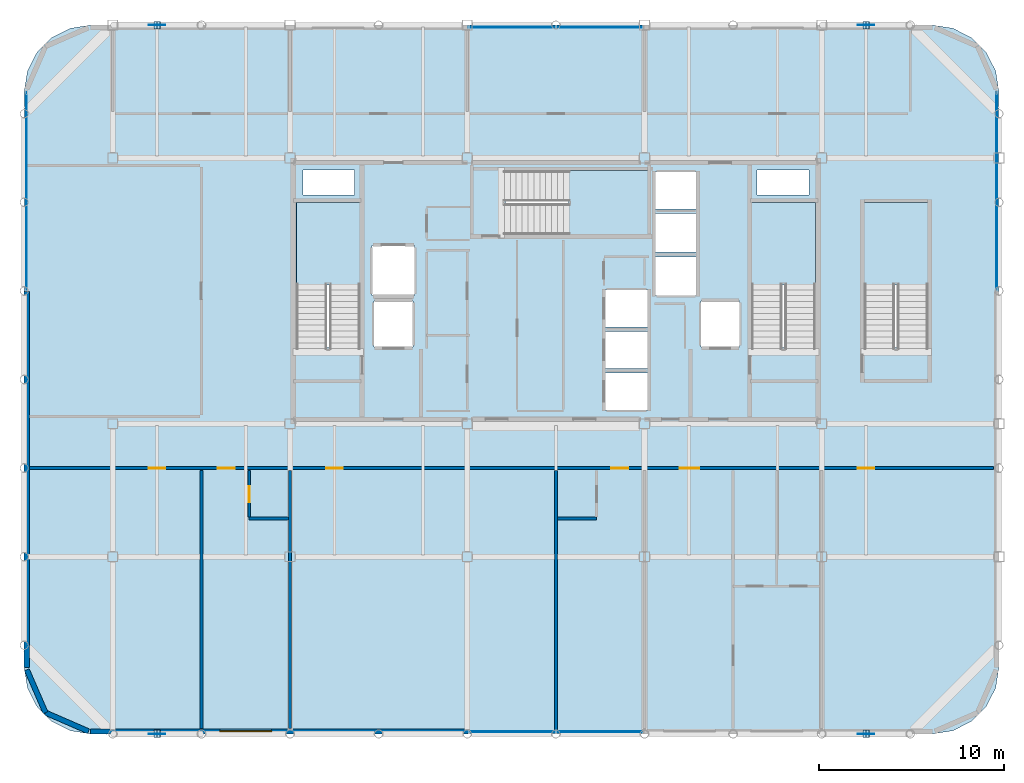
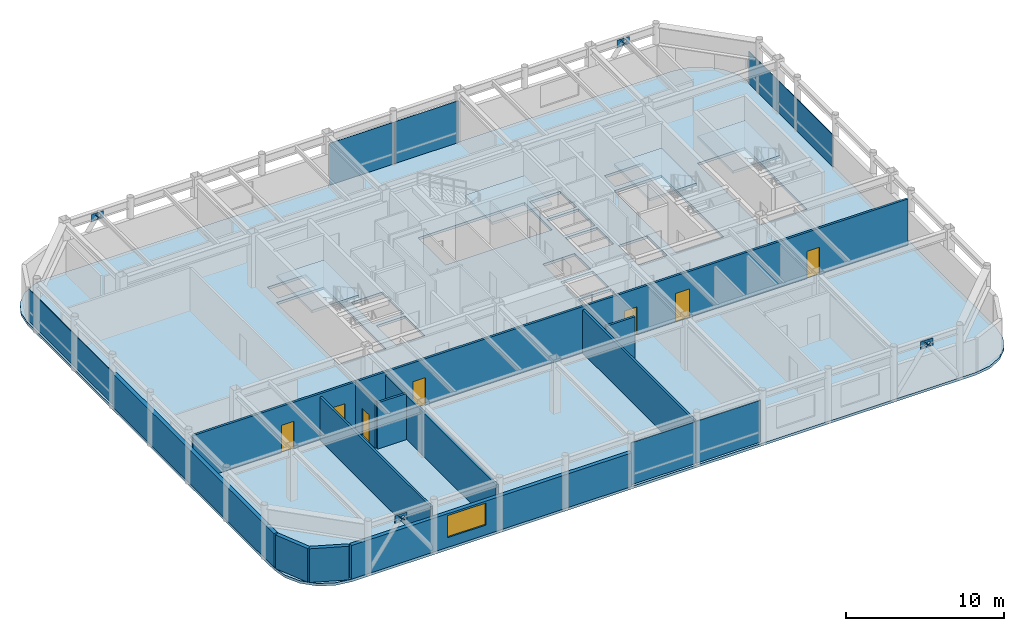
# One storey, part 16 of 21: 18 plates, 11 walls, 7 doors, 5 slabs, 1 window, 8 openings, 8 elements without a shape of their own.
"""IFC4 building model written with IfcOpenShell, lengths in metres."""

from ifc_helpers import new_model, si_unit, direction, frame, frame_2d, origin, origin_2d, place, context, subcontext, project, spatial, polyline, rectangle, outline, extrude, material, layer, layer_set, type_object, element, fill, aggregate, save


model = new_model("IFC4")

# Units and contexts
model_context = context("Model", 3, precision=1e-05, world=origin(), true_north=direction((0.0, 1.0)))
body_context = subcontext(model_context, "Body", "Model", "MODEL_VIEW")
ifc_project = project(units=[si_unit("LENGTHUNIT", "METRE"), si_unit("AREAUNIT", "SQUARE_METRE"), si_unit("VOLUMEUNIT", "CUBIC_METRE"), si_unit("PLANEANGLEUNIT", "RADIAN"), si_unit("MASSUNIT", "GRAM", prefix="KILO")], contexts=[model_context])

# Site, building, storey
site_placement = place(None, origin())
site = spatial("IfcSite", under=ifc_project, at=site_placement, CompositionType="ELEMENT")
building_placement = place(site_placement, origin())
building = spatial("IfcBuilding", under=site, at=building_placement, Name="Kallvorn Hotel Tower", CompositionType="ELEMENT")
storey_placement = place(building_placement, frame((0.0, 0.0, 286.39990234375)))
storey = spatial("IfcBuildingStorey", under=building, at=storey_placement, Name="L71", CompositionType="ELEMENT", Elevation=286.39990234375)

# Curtain wall, plates
ifc_material_1 = material(Name="Thermally broken black-anodised aluminium AA 6063-T6", Category="aluminium")
ifc_layer_1 = layer(ifc_material_1, 0.25)
ifc_layer_set_1 = layer_set([ifc_layer_1], Name="CW_SYS_6_SUMMIT_OBS")
curtain_wall_type = type_object("IfcCurtainWallType", Name="CW_SYS_6_SUMMIT_OBS", PredefinedType="USERDEFINED", material=ifc_layer_set_1)
curtain_wall_1_placement = place(storey_placement, origin())
curtain_wall_1 = element("IfcCurtainWall", 1, at=curtain_wall_1_placement, inside=storey, type_object=curtain_wall_type, Name="L71 Dark-Glass Curtain Wall CW-L71-SC", ObjectType="UNITISED CURTAIN WALL", PredefinedType="USERDEFINED")
ifc_material_2 = material(Name="Triple-glazed low-e acoustic solar-control dark glass", Category="glass")
ifc_layer_2 = layer(ifc_material_2, 0.044921875)
ifc_layer_set_2 = layer_set([ifc_layer_2], Name="CW_SYS_6_SUMMIT_OBS_PANEL")
plate_type_1 = type_object("IfcPlateType", Name="CW_SYS_6_SUMMIT_OBS_PANEL", PredefinedType="CURTAIN_PANEL", material=ifc_layer_set_2)
plate_1_placement = place(storey_placement, frame((-2.375, -23.8798828125, 0.06005859375), z_axis=(0.0, 0.0, 1.0), x_axis=(1.0, 0.0, 0.0)))
plate_1 = element("IfcPlate", 2, at=plate_1_placement, type_object=plate_type_1, Name="CW-L71-SC Vision Glass Panel 00", PredefinedType="CURTAIN_PANEL", context=body_context, shape_type="SweptSolid", body=[
    extrude(rectangle(XDim=4.68994140625, YDim=0.044921875, at=origin_2d()), origin(), (0.0, 0.0, 1.0), 3.22998046875),
])
plate_2_placement = place(storey_placement, frame((2.375, -23.8798828125, 0.06005859375), z_axis=(0.0, 0.0, 1.0), x_axis=(1.0, 0.0, 0.0)))
plate_2 = element("IfcPlate", 3, at=plate_2_placement, type_object=plate_type_1, Name="CW-L71-SC Vision Glass Panel 01", PredefinedType="CURTAIN_PANEL", context=body_context, shape_type="SweptSolid", body=[
    extrude(rectangle(XDim=4.68994140625, YDim=0.044921875, at=origin_2d()), origin(), (0.0, 0.0, 1.0), 3.22998046875),
])
aggregate(curtain_wall_1, [plate_1, plate_2])

curtain_wall_2_placement = place(storey_placement, origin())
curtain_wall_2 = element("IfcCurtainWall", 4, at=curtain_wall_2_placement, inside=storey, type_object=curtain_wall_type, Name="L71 Dark-Glass Curtain Wall CW-L71-NC", ObjectType="UNITISED CURTAIN WALL", PredefinedType="USERDEFINED")
plate_3_placement = place(storey_placement, frame((-2.375, 14.280029296875, 0.06005859375), z_axis=(0.0, 0.0, 1.0), x_axis=(1.0, 0.0, 0.0)))
plate_3 = element("IfcPlate", 5, at=plate_3_placement, type_object=plate_type_1, Name="CW-L71-NC Vision Glass Panel 00", PredefinedType="CURTAIN_PANEL", context=body_context, shape_type="SweptSolid", body=[
    extrude(rectangle(XDim=4.68994140625, YDim=0.044921875, at=origin_2d()), origin(), (0.0, 0.0, 1.0), 3.22998046875),
])
plate_4_placement = place(storey_placement, frame((2.375, 14.280029296875, 0.06005859375), z_axis=(0.0, 0.0, 1.0), x_axis=(1.0, 0.0, 0.0)))
plate_4 = element("IfcPlate", 6, at=plate_4_placement, type_object=plate_type_1, Name="CW-L71-NC Vision Glass Panel 01", PredefinedType="CURTAIN_PANEL", context=body_context, shape_type="SweptSolid", body=[
    extrude(rectangle(XDim=4.68994140625, YDim=0.044921875, at=origin_2d()), origin(), (0.0, 0.0, 1.0), 3.22998046875),
])
aggregate(curtain_wall_2, [plate_3, plate_4])

# Curtain wall, plate
curtain_wall_3_placement = place(storey_placement, origin())
curtain_wall_3 = element("IfcCurtainWall", 7, at=curtain_wall_3_placement, inside=storey, type_object=curtain_wall_type, Name="L71 Dark-Glass Curtain Wall CW-L71-WN", ObjectType="UNITISED CURTAIN WALL", PredefinedType="USERDEFINED")
plate_5_placement = place(storey_placement, frame((-28.679931640625, 5.409912109375, 0.06005859375), z_axis=(0.0, 0.0, 1.0), x_axis=(0.0, 1.0, 0.0)))
plate_5 = element("IfcPlate", 8, at=plate_5_placement, type_object=plate_type_1, Name="CW-L71-WN Vision Glass Panel 00", PredefinedType="CURTAIN_PANEL", context=body_context, shape_type="SweptSolid", body=[
    extrude(rectangle(XDim=10.719970703125, YDim=0.044921875, at=origin_2d()), origin(), (0.0, 0.0, 1.0), 2.47998046875),
])
aggregate(curtain_wall_3, [plate_5])

curtain_wall_4_placement = place(storey_placement, origin())
curtain_wall_4 = element("IfcCurtainWall", 9, at=curtain_wall_4_placement, inside=storey, type_object=curtain_wall_type, Name="L71 Dark-Glass Curtain Wall CW-L71-EN", ObjectType="UNITISED CURTAIN WALL", PredefinedType="USERDEFINED")
plate_6_placement = place(storey_placement, frame((23.8798828125, 5.409912109375, 0.06005859375), z_axis=(0.0, 0.0, 1.0), x_axis=(0.0, 1.0, 0.0)))
plate_6 = element("IfcPlate", 10, at=plate_6_placement, type_object=plate_type_1, Name="CW-L71-EN Vision Glass Panel 00", PredefinedType="CURTAIN_PANEL", context=body_context, shape_type="SweptSolid", body=[
    extrude(rectangle(XDim=10.719970703125, YDim=0.044921875, at=origin_2d()), origin(), (0.0, 0.0, 1.0), 2.47998046875),
])
aggregate(curtain_wall_4, [plate_6])

# Plates
ifc_material_3 = material(Name="Structural steel S355JR", Category="steel")
ifc_layer_3 = layer(ifc_material_3, 0.030029296875)
ifc_layer_set_3 = layer_set([ifc_layer_3], Name="PLT_CAP_30")
plate_type_2 = type_object("IfcPlateType", Name="PLT_CAP_30", PredefinedType="SHEET", material=ifc_layer_set_3)
for number, where, z_axis, x_axis, name in (
    (11, (-21.4296875, -24.201904296875, 3.430908203125), (0.580780755652, 0.0, 0.814060018588), (0.0, 1.0, 0.0), "EXO-L71-S1A End Cap Plate B"),
    (12, (-21.770263671875, -23.798095703125, 3.430908203125), (-0.580780755652, 0.0, 0.814060018588), (0.0, -1.0, 0.0), "EXO-L71-S1B End Cap Plate B"),
):
    element("IfcPlate", number, at=place(storey_placement, frame(where, z_axis=z_axis, x_axis=x_axis)), inside=storey, type_object=plate_type_2, Name=name, PredefinedType="SHEET", context=body_context, shape_type="SweptSolid", body=[
        extrude(outline(polyline([(0.0, 0.0), (0.40380859375, 0.0), (0.40380859375, 0.4039719607471356), (0.0, 0.4039719607471356), (0.0, 0.0)])), origin(), (0.0, 0.0, -1.0), 0.030029296875),
    ])
for number, where, z_axis, x_axis, name in (
    (13, (16.97021484375, -24.201904296875, 3.430908203125), (0.58106659154, 0.0, 0.813856016871), (0.0, 1.0, 0.0), "EXO-L71-S2A End Cap Plate B"),
    (14, (16.6298828125, -23.798095703125, 3.430908203125), (-0.58106659154, 0.0, 0.813856016871), (0.0, -1.0, 0.0), "EXO-L71-S2B End Cap Plate B"),
):
    element("IfcPlate", number, at=place(storey_placement, frame(where, z_axis=z_axis, x_axis=x_axis)), inside=storey, type_object=plate_type_2, Name=name, PredefinedType="SHEET", context=body_context, shape_type="SweptSolid", body=[
        extrude(outline(polyline([(0.0, 0.0), (0.40380859375, 0.0), (0.40380859375, 0.40377324052183683), (0.0, 0.40377324052183683), (0.0, 0.0)])), origin(), (0.0, 0.0, -1.0), 0.030029296875),
    ])
for number, where, z_axis, x_axis, name in (
    (15, (-21.4296875, 14.197998046875, 3.430908203125), (0.580780755652, 0.0, 0.814060018588), (0.0, 1.0, 0.0), "EXO-L71-N1A End Cap Plate B"),
    (16, (-21.770263671875, 14.60205078125, 3.430908203125), (-0.580780755652, 0.0, 0.814060018588), (0.0, -1.0, 0.0), "EXO-L71-N1B End Cap Plate B"),
):
    element("IfcPlate", number, at=place(storey_placement, frame(where, z_axis=z_axis, x_axis=x_axis)), inside=storey, type_object=plate_type_2, Name=name, PredefinedType="SHEET", context=body_context, shape_type="SweptSolid", body=[
        extrude(outline(polyline([(0.0, 0.0), (0.404052734375, 0.0), (0.404052734375, 0.4039719607471356), (0.0, 0.4039719607471356), (0.0, 0.0)])), origin(), (0.0, 0.0, -1.0), 0.030029296875),
    ])
for number, where, z_axis, x_axis, name in (
    (17, (16.97021484375, 14.197998046875, 3.430908203125), (0.58106659154, 0.0, 0.813856016871), (0.0, 1.0, 0.0), "EXO-L71-N2A End Cap Plate B"),
    (18, (16.6298828125, 14.60205078125, 3.430908203125), (-0.58106659154, 0.0, 0.813856016871), (0.0, -1.0, 0.0), "EXO-L71-N2B End Cap Plate B"),
):
    element("IfcPlate", number, at=place(storey_placement, frame(where, z_axis=z_axis, x_axis=x_axis)), inside=storey, type_object=plate_type_2, Name=name, PredefinedType="SHEET", context=body_context, shape_type="SweptSolid", body=[
        extrude(outline(polyline([(0.0, 0.0), (0.404052734375, 0.0), (0.404052734375, 0.4037732405218369), (0.0, 0.4037732405218369), (0.0, 0.0)])), origin(), (0.0, 0.0, -1.0), 0.030029296875),
    ])
ifc_material_4 = material(Name="Structural steel S355JR", Category="steel")
ifc_layer_4 = layer(ifc_material_4, 0.034912109375)
ifc_layer_set_4 = layer_set([ifc_layer_4], Name="PLT_GUSSET_35")
plate_type_3 = type_object("IfcPlateType", Name="PLT_GUSSET_35", PredefinedType="USERDEFINED", material=ifc_layer_set_4)
for number, where, z_axis, x_axis, name in (
    (19, (-21.60009765625, -24.0, 3.219970703125), (0.0, 0.0, 1.0), (1.0, 0.0, 0.0), "L71 Exoskeleton Node Gusset S1"),
    (20, (16.800048828125, -24.0, 3.219970703125), (0.0, 0.0, 1.0), (1.0, 0.0, 0.0), "L71 Exoskeleton Node Gusset S2"),
    (21, (-21.60009765625, 14.39990234375, 3.219970703125), (0.0, 0.0, 1.0), (1.0, 0.0, 0.0), "L71 Exoskeleton Node Gusset N1"),
    (22, (16.800048828125, 14.39990234375, 3.219970703125), (0.0, 0.0, 1.0), (1.0, 0.0, 0.0), "L71 Exoskeleton Node Gusset N2"),
):
    element("IfcPlate", number, at=place(storey_placement, frame(where, z_axis=z_axis, x_axis=x_axis)), inside=storey, type_object=plate_type_3, Name=name, ObjectType="GUSSET PLATE", PredefinedType="USERDEFINED", context=body_context, shape_type="SweptSolid", body=[
        extrude(rectangle(XDim=0.89990234375, YDim=0.034912109375, at=origin_2d()), origin(), (0.0, 0.0, 1.0), 0.56005859375),
    ])

# Stair, slab
ifc_material_5 = material(Name="Precast concrete C40/50", Category="concrete")
stair_type = type_object("IfcStairType", Name="STR_CORE_DOGLEG", PredefinedType="HALF_TURN_STAIR", material=ifc_material_5)
stair_1_placement = place(storey_placement, origin())
stair_1 = element("IfcStair", 23, at=stair_1_placement, inside=storey, type_object=stair_type, Name="L71 Exit stair ST1", PredefinedType="HALF_TURN_STAIR")
ifc_material_6 = material(Name="Precast concrete C40/50", Category="concrete")
ifc_layer_5 = layer(ifc_material_6, 0.179931640625)
ifc_layer_set_5 = layer_set([ifc_layer_5], Name="SLB_LANDING_180")
slab_type_1 = type_object("IfcSlabType", Name="SLB_LANDING_180", PredefinedType="LANDING", material=ifc_layer_set_5)
slab_1_placement = place(storey_placement, frame((0.0, 0.0, 1.900146484375)))
slab_1 = element("IfcSlab", 24, at=slab_1_placement, type_object=slab_type_1, Name="ST1 landing 1", PredefinedType="LANDING", context=body_context, shape_type="SweptSolid", body=[
    extrude(outline(polyline([(-10.60009765625, 0.330078125), (-10.60009765625, 4.800048828125), (-14.06005859375, 4.800048828125), (-14.06005859375, 0.330078125), (-10.60009765625, 0.330078125)])), origin(), (0.0, 0.0, 1.0), 0.199951171875),
])
aggregate(stair_1, [slab_1])

stair_2_placement = place(storey_placement, origin())
stair_2 = element("IfcStair", 25, at=stair_2_placement, inside=storey, type_object=stair_type, Name="L71 Exit stair ST2", PredefinedType="HALF_TURN_STAIR")
slab_2_placement = place(storey_placement, frame((0.0, 0.0, 1.900146484375)))
slab_2 = element("IfcSlab", 26, at=slab_2_placement, type_object=slab_type_1, Name="ST2 landing 1", PredefinedType="LANDING", context=body_context, shape_type="SweptSolid", body=[
    extrude(outline(polyline([(14.06005859375, 0.330078125), (14.06005859375, 4.800048828125), (10.60009765625, 4.800048828125), (10.60009765625, 0.330078125), (14.06005859375, 0.330078125)])), origin(), (0.0, 0.0, 1.0), 0.199951171875),
])
aggregate(stair_2, [slab_2])

stair_3_placement = place(storey_placement, origin())
stair_3 = element("IfcStair", 27, at=stair_3_placement, inside=storey, type_object=stair_type, Name="L71 Exit stair ST3", PredefinedType="HALF_TURN_STAIR")
slab_3_placement = place(storey_placement, frame((0.0, 0.0, 1.900146484375)))
slab_3 = element("IfcSlab", 28, at=slab_3_placement, type_object=slab_type_1, Name="ST3 landing 1", PredefinedType="LANDING", context=body_context, shape_type="SweptSolid", body=[
    extrude(outline(polyline([(0.679931640625, 3.050048828125), (5.050048828125, 3.050048828125), (5.050048828125, 6.510009765625), (0.679931640625, 6.510009765625), (0.679931640625, 3.050048828125)])), origin(), (0.0, 0.0, 1.0), 0.199951171875),
])
aggregate(stair_3, [slab_3])

stair_4_placement = place(storey_placement, origin())
stair_4 = element("IfcStair", 29, at=stair_4_placement, inside=storey, type_object=stair_type, Name="L71 Exit stair ST4", PredefinedType="HALF_TURN_STAIR")
slab_4_placement = place(storey_placement, frame((0.0, 0.0, 1.900146484375)))
slab_4 = element("IfcSlab", 30, at=slab_4_placement, type_object=slab_type_1, Name="ST4 landing 1", PredefinedType="LANDING", context=body_context, shape_type="SweptSolid", body=[
    extrude(outline(polyline([(20.159912109375, 0.330078125), (20.159912109375, 4.800048828125), (16.699951171875, 4.800048828125), (16.699951171875, 0.330078125), (20.159912109375, 0.330078125)])), origin(), (0.0, 0.0, 1.0), 0.199951171875),
])
aggregate(stair_4, [slab_4])

# Slab
ifc_material_7 = material(Name="Concrete C40/50", Category="concrete")
ifc_layer_6 = layer(ifc_material_7, 0.199951171875)
ifc_layer_set_6 = layer_set([ifc_layer_6], Name="SLB_SUMMIT_200")
slab_type_2 = type_object("IfcSlabType", Name="SLB_SUMMIT_200", PredefinedType="FLOOR", material=ifc_layer_set_6)
slab_5_placement = place(storey_placement, frame((0.0, 0.0, -0.199951171875)))
element("IfcSlab", 31, at=slab_5_placement, inside=storey, type_object=slab_type_2, Name="L71 Structural Floor Slab", PredefinedType="FLOOR", context=body_context, shape_type="SweptSolid", body=[
    extrude(outline(polyline([(20.39990234375, -24.0), (21.512451171875, -23.82373046875), (22.51611328125, -23.3125), (23.3125, -22.51611328125), (23.82373046875, -21.512451171875), (24.0, -20.39990234375), (24.0, 10.800048828125), (23.82373046875, 11.91259765625), (23.3125, 12.916015625), (22.51611328125, 13.71240234375), (21.512451171875, 14.223876953125), (20.39990234375, 14.39990234375), (-25.199951171875, 14.39990234375), (-26.3125, 14.223876953125), (-27.31591796875, 13.71240234375), (-28.112548828125, 12.916015625), (-28.623779296875, 11.91259765625), (-28.800048828125, 10.800048828125), (-28.800048828125, -20.39990234375), (-28.623779296875, -21.512451171875), (-28.112548828125, -22.51611328125), (-27.31591796875, -23.3125), (-26.3125, -23.82373046875), (-25.199951171875, -24.0), (20.39990234375, -24.0)]), holes=[polyline([(-10.60009765625, -3.070068359375), (-10.60009765625, 4.800048828125), (-14.06005859375, 4.800048828125), (-14.06005859375, -3.070068359375), (-10.60009765625, -3.070068359375)]), polyline([(14.06005859375, -3.070068359375), (14.06005859375, 4.800048828125), (10.60009765625, 4.800048828125), (10.60009765625, -3.070068359375), (14.06005859375, -3.070068359375)]), polyline([(-2.719970703125, 3.050048828125), (5.050048828125, 3.050048828125), (5.050048828125, 6.510009765625), (-2.719970703125, 6.510009765625), (-2.719970703125, 3.050048828125)]), polyline([(20.159912109375, -3.070068359375), (20.159912109375, 4.800048828125), (16.699951171875, 4.800048828125), (16.699951171875, -3.070068359375), (20.159912109375, -3.070068359375)]), polyline([(2.64990234375, -6.449951171875), (5.0, -6.449951171875), (5.0, -4.449951171875), (2.64990234375, -4.449951171875), (2.64990234375, -6.449951171875)]), polyline([(2.64990234375, -4.199951171875), (5.0, -4.199951171875), (5.0, -2.199951171875), (2.64990234375, -2.199951171875), (2.64990234375, -4.199951171875)]), polyline([(2.64990234375, -1.949951171875), (5.0, -1.949951171875), (5.0, 0.050048828125), (2.64990234375, 0.050048828125), (2.64990234375, -1.949951171875)]), polyline([(5.35009765625, -0.25), (7.64990234375, -0.25), (7.64990234375, 1.85009765625), (5.35009765625, 1.85009765625), (5.35009765625, -0.25)]), polyline([(5.35009765625, 2.10009765625), (7.64990234375, 2.10009765625), (7.64990234375, 4.199951171875), (5.35009765625, 4.199951171875), (5.35009765625, 2.10009765625)]), polyline([(5.35009765625, 4.449951171875), (7.64990234375, 4.449951171875), (7.64990234375, 6.449951171875), (5.35009765625, 6.449951171875), (5.35009765625, 4.449951171875)]), polyline([(-9.85009765625, -3.050048828125), (-7.75, -3.050048828125), (-7.75, -0.550048828125), (-9.85009765625, -0.550048828125), (-9.85009765625, -3.050048828125)]), polyline([(7.85009765625, -3.050048828125), (9.949951171875, -3.050048828125), (9.949951171875, -0.550048828125), (7.85009765625, -0.550048828125), (7.85009765625, -3.050048828125)]), polyline([(-9.949951171875, -0.25), (-7.64990234375, -0.25), (-7.64990234375, 2.449951171875), (-9.949951171875, 2.449951171875), (-9.949951171875, -0.25)]), polyline([(-13.699951171875, 5.199951171875), (-10.89990234375, 5.199951171875), (-10.89990234375, 6.550048828125), (-13.699951171875, 6.550048828125), (-13.699951171875, 5.199951171875)]), polyline([(10.89990234375, 5.199951171875), (13.699951171875, 5.199951171875), (13.699951171875, 6.550048828125), (10.89990234375, 6.550048828125), (10.89990234375, 5.199951171875)])]), origin(), (0.0, 0.0, 1.0), 0.199951171875),
])

# Walls
ifc_material_8 = material(Name="Fire-rated double-layer acoustic gypsum drywall EI 60")
ifc_layer_7 = layer(ifc_material_8, 0.159912109375)
ifc_layer_set_7 = layer_set([ifc_layer_7], Name="WL_DEMISE_160")
wall_type_1 = type_object("IfcWallType", Name="WL_DEMISE_160", PredefinedType="PARTITIONING", material=ifc_layer_set_7)
wall_1_placement = place(storey_placement, frame((-16.610107421875, -12.320068359375, 0.0), z_axis=(0.0, 0.0, 1.0), x_axis=(1.0, 0.0, 0.0)))
element("IfcWall", 32, at=wall_1_placement, inside=storey, type_object=wall_type_1, Name="L71 Suite 7101 Ambassador Twin Room Partition", PredefinedType="PARTITIONING", context=body_context, shape_type="SweptSolid", body=[
    extrude(rectangle(XDim=2.130126953125, YDim=0.159912109375, at=frame_2d((1.06494140625, 0.0))), origin(), (0.0, 0.0, 1.0), 3.56005859375),
])
wall_2_placement = place(storey_placement, frame((0.080078125, -12.320068359375, 0.0), z_axis=(0.0, 0.0, 1.0), x_axis=(1.0, 0.0, 0.0)))
element("IfcWall", 33, at=wall_2_placement, inside=storey, type_object=wall_type_1, Name="L71 Suite 7102 Ambassador Twin Room Partition", PredefinedType="PARTITIONING", context=body_context, shape_type="SweptSolid", body=[
    extrude(rectangle(XDim=2.1298828125, YDim=0.159912109375, at=frame_2d((1.06494140625, 0.0))), origin(), (0.0, 0.0, 1.0), 3.64013671875),
])

# Wall, openings, doors
wall_3_placement = place(storey_placement, frame((-28.510009765625, -9.60009765625, 0.0), z_axis=(0.0, 0.0, 1.0), x_axis=(1.0, 0.0, 0.0)))
wall_3 = element("IfcWall", 34, at=wall_3_placement, inside=storey, type_object=wall_type_1, Name="L71 Suite 7101 Ambassador Twin Room Partition", PredefinedType="PARTITIONING", context=body_context, shape_type="SweptSolid", body=[
    extrude(rectangle(XDim=52.219970703125, YDim=0.159912109375, at=frame_2d((26.10986328125, 0.0))), origin(), (0.0, 0.0, 1.0), 3.56005859375),
])
opening_1_placement = place(wall_3_placement, frame((6.4599609375, 0.0, 0.0)))
opening_1 = element("IfcOpeningElement", 35, at=opening_1_placement, cuts=wall_3, Name="Opening SVD1", PredefinedType="OPENING", context=body_context, shape_type="SweptSolid", body=[
    extrude(rectangle(XDim=0.89990234375, YDim=2.10009765625, at=frame_2d((0.449951171875, 1.050048828125))), frame((0.0, 0.094970703125, 0.0), z_axis=(0.0, -1.0, 0.0), x_axis=(1.0, 0.0, 0.0)), (0.0, 0.0, 1.0), 0.18994140625),
])
opening_2_placement = place(wall_3_placement, frame((44.860107421875, 0.0, 0.0)))
opening_2 = element("IfcOpeningElement", 36, at=opening_2_placement, cuts=wall_3, Name="Opening SVD1", PredefinedType="OPENING", context=body_context, shape_type="SweptSolid", body=[
    extrude(rectangle(XDim=0.89990234375, YDim=2.10009765625, at=frame_2d((0.449951171875, 1.050048828125))), frame((0.0, 0.094970703125, 0.0), z_axis=(0.0, -1.0, 0.0), x_axis=(1.0, 0.0, 0.0)), (0.0, 0.0, 1.0), 0.18994140625),
])
opening_3_placement = place(wall_3_placement, frame((10.18505859375, 0.0, 0.0)))
opening_3 = element("IfcOpeningElement", 37, at=opening_3_placement, cuts=wall_3, Name="Opening GD1", PredefinedType="OPENING", context=body_context, shape_type="SweptSolid", body=[
    extrude(rectangle(XDim=0.919921875, YDim=2.14990234375, at=frame_2d((0.4599609375, 1.074951171875))), frame((0.0, 0.094970703125, 0.0), z_axis=(0.0, -1.0, 0.0), x_axis=(1.0, 0.0, 0.0)), (0.0, 0.0, 1.0), 0.18994140625),
])
opening_4_placement = place(wall_3_placement, frame((16.06005859375, 0.0, 0.0)))
opening_4 = element("IfcOpeningElement", 38, at=opening_4_placement, cuts=wall_3, Name="Opening SVD1", PredefinedType="OPENING", context=body_context, shape_type="SweptSolid", body=[
    extrude(rectangle(XDim=0.89990234375, YDim=2.10009765625, at=frame_2d((0.449951171875, 1.050048828125))), frame((0.0, 0.094970703125, 0.0), z_axis=(0.0, -1.0, 0.0), x_axis=(1.0, 0.0, 0.0)), (0.0, 0.0, 1.0), 0.18994140625),
])
opening_5_placement = place(wall_3_placement, frame((31.514892578125, 0.0, 0.0)))
opening_5 = element("IfcOpeningElement", 39, at=opening_5_placement, cuts=wall_3, Name="Opening GD1", PredefinedType="OPENING", context=body_context, shape_type="SweptSolid", body=[
    extrude(rectangle(XDim=0.919921875, YDim=2.14990234375, at=frame_2d((0.4599609375, 1.074951171875))), frame((0.0, 0.094970703125, 0.0), z_axis=(0.0, -1.0, 0.0), x_axis=(1.0, 0.0, 0.0)), (0.0, 0.0, 1.0), 0.18994140625),
])
opening_6_placement = place(wall_3_placement, frame((35.22509765625, 0.0, 0.0)))
opening_6 = element("IfcOpeningElement", 40, at=opening_6_placement, cuts=wall_3, Name="Opening GD2", PredefinedType="OPENING", context=body_context, shape_type="SweptSolid", body=[
    extrude(rectangle(XDim=1.050048828125, YDim=2.199951171875, at=frame_2d((0.52490234375, 1.10009765625))), frame((0.0, 0.094970703125, 0.0), z_axis=(0.0, -1.0, 0.0), x_axis=(1.0, 0.0, 0.0)), (0.0, 0.0, 1.0), 0.18994140625),
])
ifc_material_9 = material(Name="Solid-core walnut veneer fire-rated timber door leaf", Category="wood")
door_type_1 = type_object("IfcDoorType", Name="DR_GUEST_920x2150", OperationType="NOTDEFINED", PredefinedType="DOOR", material=ifc_material_9)
door_1_placement = place(opening_3_placement, origin())
door_1 = element("IfcDoor", 41, at=door_1_placement, inside=storey, type_object=door_type_1, Name="L71 Suite 7101 Ambassador Twin Room Door", OperationType="SINGLE_SWING_RIGHT", OverallHeight=2.14990234375, OverallWidth=0.919921875, PredefinedType="DOOR", context=body_context, shape_type="SweptSolid", body=[
    extrude(rectangle(XDim=0.919921875, YDim=2.14990234375, at=frame_2d((0.4599609375, 1.074951171875))), frame((0.0, 0.02490234375, 0.0), z_axis=(0.0, -1.0, 0.0), x_axis=(1.0, 0.0, 0.0)), (0.0, 0.0, 1.0), 0.050048828125),
])
fill(opening_3, door_1)
door_2_placement = place(opening_5_placement, origin())
door_2 = element("IfcDoor", 42, at=door_2_placement, inside=storey, type_object=door_type_1, Name="L71 Suite 7102 Ambassador Twin Room Door", OperationType="SINGLE_SWING_RIGHT", OverallHeight=2.14990234375, OverallWidth=0.919921875, PredefinedType="DOOR", context=body_context, shape_type="SweptSolid", body=[
    extrude(rectangle(XDim=0.919921875, YDim=2.14990234375, at=frame_2d((0.4599609375, 1.074951171875))), frame((0.0, 0.02490234375, 0.0), z_axis=(0.0, -1.0, 0.0), x_axis=(1.0, 0.0, 0.0)), (0.0, 0.0, 1.0), 0.050048828125),
])
fill(opening_5, door_2)
ifc_material_10 = material(Name="Galvanised painted steel fire-rated door assembly", Category="steel")
door_type_2 = type_object("IfcDoorType", Name="DR_SERV_900x2100", OperationType="NOTDEFINED", PredefinedType="DOOR", material=ifc_material_10)
door_3_placement = place(opening_1_placement, origin())
door_3 = element("IfcDoor", 43, at=door_3_placement, inside=storey, type_object=door_type_2, Name="L71 L71 South-West Cordillera Tasting Bar Door", OperationType="SINGLE_SWING_RIGHT", OverallHeight=2.10009765625, OverallWidth=0.89990234375, PredefinedType="DOOR", context=body_context, shape_type="SweptSolid", body=[
    extrude(rectangle(XDim=0.89990234375, YDim=2.10009765625, at=frame_2d((0.449951171875, 1.050048828125))), frame((0.0, 0.02490234375, 0.0), z_axis=(0.0, -1.0, 0.0), x_axis=(1.0, 0.0, 0.0)), (0.0, 0.0, 1.0), 0.050048828125),
])
fill(opening_1, door_3)
door_4_placement = place(opening_2_placement, origin())
door_4 = element("IfcDoor", 44, at=door_4_placement, inside=storey, type_object=door_type_2, Name="L71 L71 South-East Summit Cigar Bar Door", OperationType="SINGLE_SWING_LEFT", OverallHeight=2.10009765625, OverallWidth=0.89990234375, PredefinedType="DOOR", context=body_context, shape_type="SweptSolid", body=[
    extrude(rectangle(XDim=0.89990234375, YDim=2.10009765625, at=frame_2d((0.449951171875, 1.050048828125))), frame((0.0, 0.02490234375, 0.0), z_axis=(0.0, -1.0, 0.0), x_axis=(1.0, 0.0, 0.0)), (0.0, 0.0, 1.0), 0.050048828125),
])
fill(opening_2, door_4)
door_5_placement = place(opening_4_placement, origin())
door_5 = element("IfcDoor", 45, at=door_5_placement, inside=storey, type_object=door_type_2, Name="L71 L71 Andean Tasting Sky Restaurant 2 Door", OperationType="SINGLE_SWING_RIGHT", OverallHeight=2.10009765625, OverallWidth=0.89990234375, PredefinedType="DOOR", context=body_context, shape_type="SweptSolid", body=[
    extrude(rectangle(XDim=0.89990234375, YDim=2.10009765625, at=frame_2d((0.449951171875, 1.050048828125))), frame((0.0, 0.02490234375, 0.0), z_axis=(0.0, -1.0, 0.0), x_axis=(1.0, 0.0, 0.0)), (0.0, 0.0, 1.0), 0.050048828125),
])
fill(opening_4, door_5)
ifc_material_11 = material(Name="Solid-core walnut veneer fire-rated timber door leaf", Category="wood")
door_type_3 = type_object("IfcDoorType", Name="DR_SUITE_1050x2200", OperationType="NOTDEFINED", PredefinedType="DOOR", material=ifc_material_11)
door_6_placement = place(opening_6_placement, origin())
door_6 = element("IfcDoor", 46, at=door_6_placement, inside=storey, type_object=door_type_3, Name="L71 Suite 7103 Ambassador Living Salon Door", OperationType="SINGLE_SWING_RIGHT", OverallHeight=2.199951171875, OverallWidth=1.050048828125, PredefinedType="DOOR", context=body_context, shape_type="SweptSolid", body=[
    extrude(rectangle(XDim=1.050048828125, YDim=2.199951171875, at=frame_2d((0.52490234375, 1.10009765625))), frame((0.0, 0.02490234375, 0.0), z_axis=(0.0, -1.0, 0.0), x_axis=(1.0, 0.0, 0.0)), (0.0, 0.0, 1.0), 0.050048828125),
])
fill(opening_6, door_6)

# Wall
wall_4_placement = place(storey_placement, frame((-19.199951171875, -23.7099609375, 0.0), z_axis=(0.0, 0.0, 1.0), x_axis=(0.0, 1.0, 0.0)))
element("IfcWall", 47, at=wall_4_placement, inside=storey, type_object=wall_type_1, Name="L71 Suite 7101 Ambassador Twin Room Partition", PredefinedType="PARTITIONING", context=body_context, shape_type="SweptSolid", body=[
    extrude(rectangle(XDim=13.989990234375, YDim=0.159912109375, at=frame_2d((6.9951171875, 0.0))), origin(), (0.0, 0.0, 1.0), 3.35009765625),
])

# Wall, opening, door
wall_5_placement = place(storey_placement, frame((-16.610107421875, -12.235107421875, 0.0), z_axis=(0.0, 0.0, 1.0), x_axis=(0.0, 1.0, 0.0)))
wall_5 = element("IfcWall", 48, at=wall_5_placement, inside=storey, type_object=wall_type_1, Name="L71 Suite 7101 Ambassador Twin Room Partition", PredefinedType="PARTITIONING", context=body_context, shape_type="SweptSolid", body=[
    extrude(rectangle(XDim=2.51513671875, YDim=0.159912109375, at=frame_2d((1.257568359375, 0.0))), origin(), (0.0, 0.0, 1.0), 3.64013671875),
])
opening_7_placement = place(wall_5_placement, frame((0.784912109375, 0.0, 0.0)))
opening_7 = element("IfcOpeningElement", 49, at=opening_7_placement, cuts=wall_5, Name="Opening BD-I", PredefinedType="OPENING", context=body_context, shape_type="SweptSolid", body=[
    extrude(rectangle(XDim=0.860107421875, YDim=2.10009765625, at=frame_2d((0.43017578125, 1.050048828125))), frame((0.0, 0.094970703125, 0.0), z_axis=(0.0, -1.0, 0.0), x_axis=(1.0, 0.0, 0.0)), (0.0, 0.0, 1.0), 0.18994140625),
])
ifc_material_12 = material(Name="Solid-core walnut veneer fire-rated timber door leaf", Category="wood")
door_type_4 = type_object("IfcDoorType", Name="DR_BATH_860x2100", OperationType="NOTDEFINED", PredefinedType="DOOR", material=ifc_material_12)
door_7_placement = place(opening_7_placement, origin())
door_7 = element("IfcDoor", 50, at=door_7_placement, inside=storey, type_object=door_type_4, Name="L71 Suite 7101 En-Suite Bathroom Door", OperationType="SINGLE_SWING_RIGHT", OverallHeight=2.10009765625, OverallWidth=0.860107421875, PredefinedType="DOOR", context=body_context, shape_type="SweptSolid", body=[
    extrude(rectangle(XDim=0.860107421875, YDim=2.10009765625, at=frame_2d((0.43017578125, 1.050048828125))), frame((0.0, 0.02490234375, 0.0), z_axis=(0.0, -1.0, 0.0), x_axis=(1.0, 0.0, 0.0)), (0.0, 0.0, 1.0), 0.050048828125),
])
fill(opening_7, door_7)

# Walls
wall_6_placement = place(storey_placement, frame((-14.39990234375, -23.7099609375, 0.0), z_axis=(0.0, 0.0, 1.0), x_axis=(0.0, 1.0, 0.0)))
element("IfcWall", 51, at=wall_6_placement, inside=storey, type_object=wall_type_1, Name="L71 Suite 7101 Ambassador Twin Room Partition", PredefinedType="PARTITIONING", context=body_context, shape_type="SweptSolid", body=[
    extrude(rectangle(XDim=13.989990234375, YDim=0.159912109375, at=frame_2d((6.9951171875, 0.0))), origin(), (0.0, 0.0, 1.0), 3.35009765625),
])
wall_7_placement = place(storey_placement, frame((0.0, -23.794921875, 0.0), z_axis=(0.0, 0.0, 1.0), x_axis=(0.0, 1.0, 0.0)))
element("IfcWall", 52, at=wall_7_placement, inside=storey, type_object=wall_type_1, Name="L71 Suite 7102 Ambassador Twin Room Partition", PredefinedType="PARTITIONING", context=body_context, shape_type="SweptSolid", body=[
    extrude(rectangle(XDim=14.074951171875, YDim=0.159912109375, at=frame_2d((7.03759765625, 0.0))), origin(), (0.0, 0.0, 1.0), 3.35009765625),
])
ifc_material_13 = material(Name="Precast basalt-clad insulated concrete wall C40/50", Category="masonry")
ifc_layer_8 = layer(ifc_material_13, 0.280029296875)
ifc_layer_set_8 = layer_set([ifc_layer_8], Name="WL_EXT_LOGGIA_280")
wall_type_2 = type_object("IfcWallType", Name="WL_EXT_LOGGIA_280", PredefinedType="SOLIDWALL", material=ifc_layer_set_8)
wall_8_placement = place(storey_placement, frame((-28.657958984375, -20.520751953125, 0.0), z_axis=(0.0, 0.0, 1.0), x_axis=(0.398792985289, -0.917040977756, 0.0)))
element("IfcWall", 53, at=wall_8_placement, inside=storey, type_object=wall_type_2, Name="L71 Rounded Corner Exterior Wall SW1", PredefinedType="SOLIDWALL", context=body_context, shape_type="SweptSolid", body=[
    extrude(rectangle(XDim=2.536376953125, YDim=0.280029296875, at=frame_2d((1.26806640625, 0.0))), origin(), (0.0, 0.0, 1.0), 2.60009765625),
])
wall_9_placement = place(storey_placement, frame((-27.646484375, -22.8466796875, 0.0), z_axis=(0.0, 0.0, 1.0), x_axis=(0.917060872934, -0.398747232384, 0.0)))
element("IfcWall", 54, at=wall_9_placement, inside=storey, type_object=wall_type_2, Name="L71 Rounded Corner Exterior Wall SW2", PredefinedType="SOLIDWALL", context=body_context, shape_type="SweptSolid", body=[
    extrude(rectangle(XDim=2.5361328125, YDim=0.280029296875, at=frame_2d((1.26806640625, 0.0))), origin(), (0.0, 0.0, 1.0), 2.60009765625),
])

# Wall, opening, window
wall_10_placement = place(storey_placement, frame((-25.199951171875, -23.860107421875, 0.0), z_axis=(0.0, 0.0, 1.0), x_axis=(1.0, 0.0, 0.0)))
wall_10 = element("IfcWall", 55, at=wall_10_placement, inside=storey, type_object=wall_type_2, Name="L71 Exterior Envelope Wall EW-L71-SW", PredefinedType="SOLIDWALL", context=body_context, shape_type="SweptSolid", body=[
    extrude(rectangle(XDim=20.449951171875, YDim=0.280029296875, at=frame_2d((10.22509765625, 0.0))), origin(), (0.0, 0.0, 1.0), 2.60009765625),
])
opening_8_placement = place(wall_10_placement, frame((7.0, 0.0, 0.75)))
opening_8 = element("IfcOpeningElement", 56, at=opening_8_placement, cuts=wall_10, Name="Opening W08A", PredefinedType="OPENING", context=body_context, shape_type="SweptSolid", body=[
    extrude(rectangle(XDim=2.800048828125, YDim=1.699951171875, at=frame_2d((1.39990234375, 0.85009765625))), frame((0.0, 0.155029296875, 0.0), z_axis=(0.0, -1.0, 0.0), x_axis=(1.0, 0.0, 0.0)), (0.0, 0.0, 1.0), 0.31005859375),
])
ifc_material_14 = material(Name="Triple-glazed low-e acoustic solar-control dark glass", Category="glass")
window_type = type_object("IfcWindowType", Name="WN_SUM_2800x1700", PartitioningType="SINGLE_PANEL", PredefinedType="WINDOW", material=ifc_material_14)
window_placement = place(opening_8_placement, origin())
window = element("IfcWindow", 57, at=window_placement, inside=storey, type_object=window_type, Name="L71 Guestroom Exterior Window 01", OverallHeight=1.699951171875, OverallWidth=2.800048828125, PartitioningType="SINGLE_PANEL", PredefinedType="WINDOW", context=body_context, shape_type="SweptSolid", body=[
    extrude(rectangle(XDim=2.800048828125, YDim=1.699951171875, at=frame_2d((1.39990234375, 0.85009765625))), frame((0.0, 0.030029296875, 0.0), z_axis=(0.0, -1.0, 0.0), x_axis=(1.0, 0.0, 0.0)), (0.0, 0.0, 1.0), 0.06005859375),
])
fill(opening_8, window)

# Wall
wall_11_placement = place(storey_placement, frame((-28.659912109375, -20.39990234375, 0.0), z_axis=(0.0, 0.0, 1.0), x_axis=(0.0, 1.0, 0.0)))
element("IfcWall", 58, at=wall_11_placement, inside=storey, type_object=wall_type_2, Name="L71 Exterior Envelope Wall EW-L71-WS", PredefinedType="SOLIDWALL", context=body_context, shape_type="SweptSolid", body=[
    extrude(rectangle(XDim=20.3798828125, YDim=0.280029296875, at=frame_2d((10.18994140625, 0.0))), origin(), (0.0, 0.0, 1.0), 2.60009765625),
])

save(model, "model.ifc")
